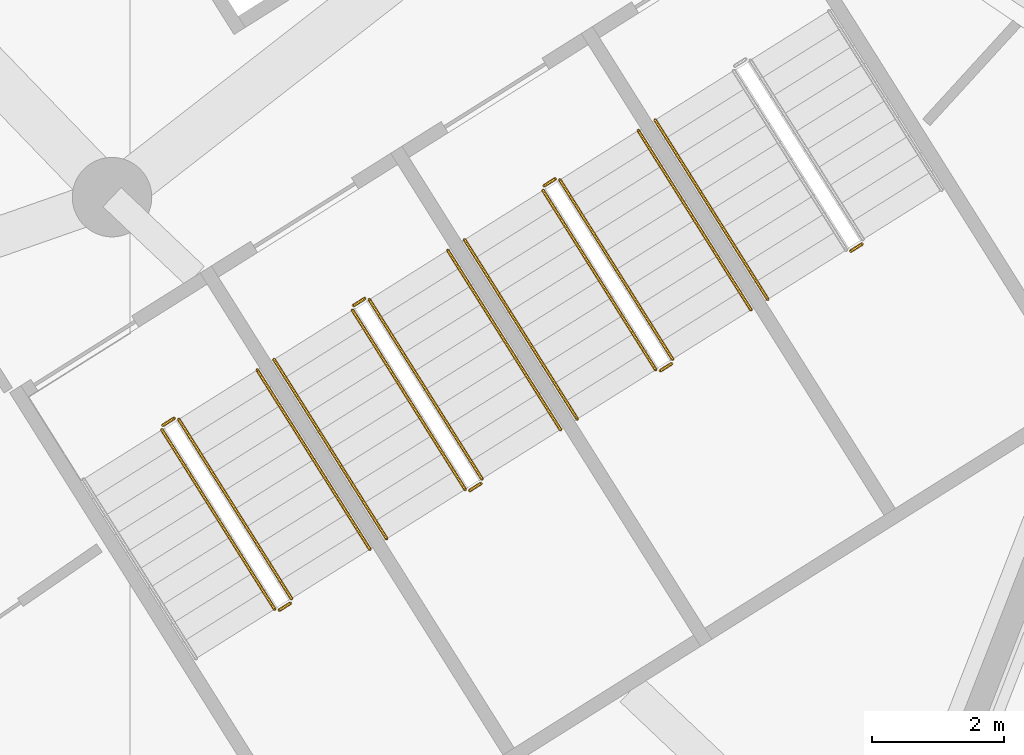
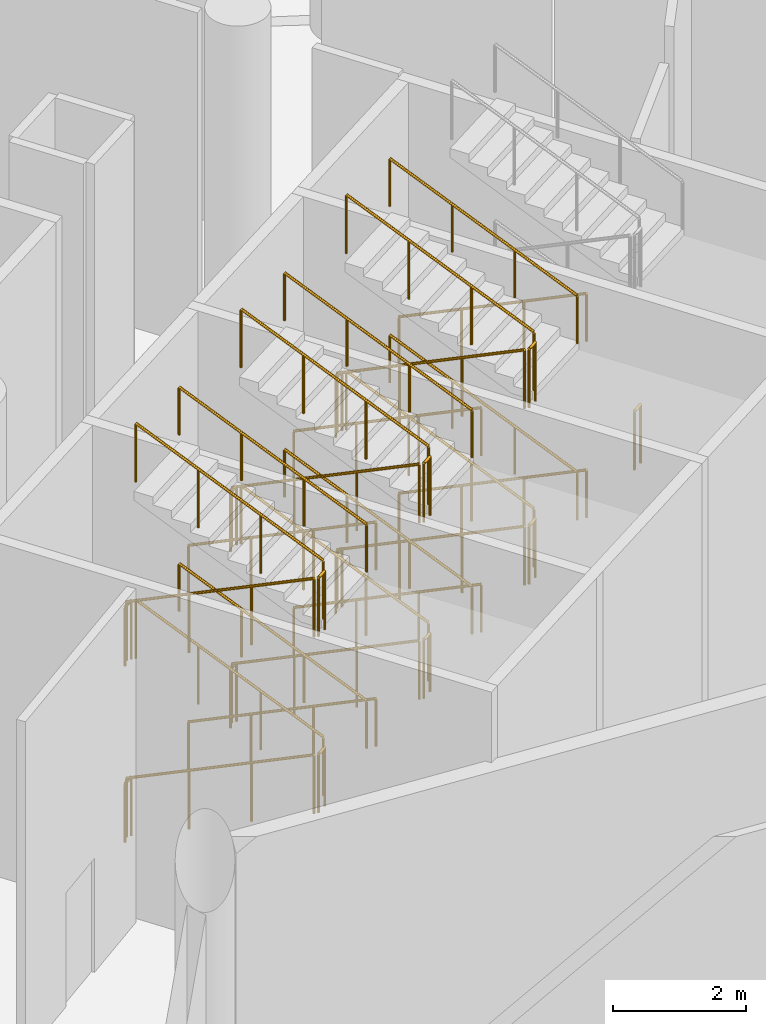
# One storey, part 210 of 255: 37 railings.
"""IFC4 building model written with IfcOpenShell, lengths in metres."""

from ifc_helpers import new_model, si_unit, direction, frame, origin, origin_2d, place, context, subcontext, project, spatial, circle, extrude, material, type_object, element, save


model = new_model("IFC4")

# Units and contexts
model_context = context("Model", 3, precision=1e-05, world=origin(), true_north=direction((0.0, 1.0)))
body_context = subcontext(model_context, "Body", "Model", "MODEL_VIEW")
ifc_project = project(units=[si_unit("LENGTHUNIT", "METRE"), si_unit("AREAUNIT", "SQUARE_METRE"), si_unit("VOLUMEUNIT", "CUBIC_METRE"), si_unit("PLANEANGLEUNIT", "RADIAN"), si_unit("MASSUNIT", "GRAM", prefix="KILO")], contexts=[model_context])

# Site, building, storey
site_placement = place(None, origin())
site = spatial("IfcSite", under=ifc_project, at=site_placement, CompositionType="ELEMENT")
building_placement = place(site_placement, origin())
building = spatial("IfcBuilding", under=site, at=building_placement, Name="Meseta Stadium", CompositionType="ELEMENT")
storey_placement = place(building_placement, origin())
storey = spatial("IfcBuildingStorey", under=building, at=storey_placement, Name="L00", CompositionType="ELEMENT", Elevation=0.0)

# Railings
ifc_material_1 = material(Name="Steel S355", Category="steel")
railing_type_1 = type_object("IfcRailingType", Name="Stair guard 1100", PredefinedType="GUARDRAIL", material=ifc_material_1)
railing_1_placement = place(storey_placement, frame((64.4853515625, -89.286865234375, 0.147705078125)))
element("IfcRailing", 1, at=railing_1_placement, inside=storey, type_object=railing_type_1, Name="ST105 L00 guard 1", PredefinedType="GUARDRAIL", context=body_context, shape_type="SweptSolid", body=[
    extrude(circle(Radius=0.02392578125, at=origin_2d()), frame((0.0, 0.0, 1.076171875), z_axis=(0.482997211726, -0.768791919252, 0.419133246544), x_axis=(0.846757325705, 0.531979352387, 0.0)), (0.0, 0.0, 1.0), 3.524658203125),
    extrude(circle(Radius=0.02099609375, at=origin_2d()), origin(), (0.0, 0.0, 1.0), 1.052001953125),
    extrude(circle(Radius=0.02099609375, at=origin_2d()), frame((0.5673828125, -0.9033203125, 0.492431640625)), (0.0, 0.0, 1.0), 1.052001953125),
    extrude(circle(Radius=0.02099609375, at=origin_2d()), frame((1.135009765625, -1.806396484375, 0.98486328125)), (0.0, 0.0, 1.0), 1.052001953125),
    extrude(circle(Radius=0.02099609375, at=origin_2d()), frame((1.702392578125, -2.709716796875, 1.477294921875)), (0.0, 0.0, 1.0), 1.052001953125),
])
railing_2_placement = place(storey_placement, frame((66.2568359375, -92.01220703125, 1.625)))
element("IfcRailing", 2, at=railing_2_placement, inside=storey, type_object=railing_type_1, Name="ST105 L00 guard 2", PredefinedType="GUARDRAIL", context=body_context, shape_type="SweptSolid", body=[
    extrude(circle(Radius=0.02392578125, at=origin_2d()), frame((0.0, 0.0, 1.076171875), z_axis=(0.846416356806, 0.532521690573, 0.0), x_axis=(-0.532521690573, 0.846416356806, 0.0)), (0.0, 0.0, 1.0), 0.199951171875),
    extrude(circle(Radius=0.02099609375, at=origin_2d()), origin(), (0.0, 0.0, 1.0), 1.052001953125),
    extrude(circle(Radius=0.02099609375, at=origin_2d()), frame((0.169189453125, 0.1064453125, 0.0)), (0.0, 0.0, 1.0), 1.052001953125),
])
railing_3_placement = place(storey_placement, frame((66.44189453125, -91.8369140625, 1.772705078125)))
element("IfcRailing", 3, at=railing_3_placement, inside=storey, type_object=railing_type_1, Name="ST105 L00 guard 3", PredefinedType="GUARDRAIL", context=body_context, shape_type="SweptSolid", body=[
    extrude(circle(Radius=0.02392578125, at=origin_2d()), frame((0.0, 0.0, 1.076171875), z_axis=(-0.483076039287, 0.768737866935, 0.419141541973), x_axis=(-0.84670136309, -0.53206841829, 0.0)), (0.0, 0.0, 1.0), 3.524658203125),
    extrude(circle(Radius=0.02099609375, at=origin_2d()), origin(), (0.0, 0.0, 1.0), 1.052001953125),
    extrude(circle(Radius=0.02099609375, at=origin_2d()), frame((-0.567626953125, 0.903076171875, 0.492431640625)), (0.0, 0.0, 1.0), 1.052001953125),
    extrude(circle(Radius=0.02099609375, at=origin_2d()), frame((-1.135009765625, 1.806396484375, 0.98486328125)), (0.0, 0.0, 1.0), 1.052001953125),
    extrude(circle(Radius=0.02099609375, at=origin_2d()), frame((-1.70263671875, 2.70947265625, 1.477294921875)), (0.0, 0.0, 1.0), 1.052001953125),
])
railing_4_placement = place(storey_placement, frame((64.5009765625, -89.218017578125, 3.25)))
element("IfcRailing", 4, at=railing_4_placement, inside=storey, type_object=railing_type_1, Name="ST105 L00 guard 4", PredefinedType="GUARDRAIL", context=body_context, shape_type="SweptSolid", body=[
    extrude(circle(Radius=0.02392578125, at=origin_2d()), frame((0.0, 0.0, 1.076171875), z_axis=(0.846762178531, 0.531971628011, 0.0), x_axis=(-0.531971628011, 0.846762178531, 0.0)), (0.0, 0.0, 1.0), 0.2001953125),
    extrude(circle(Radius=0.02099609375, at=origin_2d()), origin(), (0.0, 0.0, 1.0), 1.052001953125),
    extrude(circle(Radius=0.02099609375, at=origin_2d()), frame((0.16943359375, 0.1064453125, 0.0)), (0.0, 0.0, 1.0), 1.052001953125),
])
railing_5_placement = place(storey_placement, frame((64.4853515625, -89.286865234375, 3.397705078125)))
element("IfcRailing", 5, at=railing_5_placement, inside=storey, type_object=railing_type_1, Name="ST105 L00 guard 5", PredefinedType="GUARDRAIL", context=body_context, shape_type="SweptSolid", body=[
    extrude(circle(Radius=0.02392578125, at=origin_2d()), frame((0.0, 0.0, 1.076171875), z_axis=(0.482997211726, -0.768791919252, 0.419133246544), x_axis=(0.846757325705, 0.531979352387, 0.0)), (0.0, 0.0, 1.0), 3.524658203125),
    extrude(circle(Radius=0.02099609375, at=origin_2d()), origin(), (0.0, 0.0, 1.0), 1.052001953125),
    extrude(circle(Radius=0.02099609375, at=origin_2d()), frame((0.5673828125, -0.9033203125, 0.492431640625)), (0.0, 0.0, 1.0), 1.052001953125),
    extrude(circle(Radius=0.02099609375, at=origin_2d()), frame((1.135009765625, -1.806396484375, 0.98486328125)), (0.0, 0.0, 1.0), 1.052001953125),
    extrude(circle(Radius=0.02099609375, at=origin_2d()), frame((1.702392578125, -2.709716796875, 1.477294921875)), (0.0, 0.0, 1.0), 1.052001953125),
])
railing_6_placement = place(storey_placement, frame((66.2568359375, -92.01220703125, 4.875)))
element("IfcRailing", 6, at=railing_6_placement, inside=storey, type_object=railing_type_1, Name="ST105 L00 guard 6", PredefinedType="GUARDRAIL", context=body_context, shape_type="SweptSolid", body=[
    extrude(circle(Radius=0.02392578125, at=origin_2d()), frame((0.0, 0.0, 1.076171875), z_axis=(0.846416356806, 0.532521690573, 0.0), x_axis=(-0.532521690573, 0.846416356806, 0.0)), (0.0, 0.0, 1.0), 0.199951171875),
    extrude(circle(Radius=0.02099609375, at=origin_2d()), origin(), (0.0, 0.0, 1.0), 1.052001953125),
    extrude(circle(Radius=0.02099609375, at=origin_2d()), frame((0.169189453125, 0.1064453125, 0.0)), (0.0, 0.0, 1.0), 1.052001953125),
])
railing_7_placement = place(storey_placement, frame((66.44189453125, -91.8369140625, 5.022705078125)))
element("IfcRailing", 7, at=railing_7_placement, inside=storey, type_object=railing_type_1, Name="ST105 L00 guard 7", PredefinedType="GUARDRAIL", context=body_context, shape_type="SweptSolid", body=[
    extrude(circle(Radius=0.02392578125, at=origin_2d()), frame((0.0, 0.0, 1.076171875), z_axis=(-0.483076039287, 0.768737866935, 0.419141541973), x_axis=(-0.84670136309, -0.53206841829, 0.0)), (0.0, 0.0, 1.0), 3.524658203125),
    extrude(circle(Radius=0.02099609375, at=origin_2d()), origin(), (0.0, 0.0, 1.0), 1.052001953125),
    extrude(circle(Radius=0.02099609375, at=origin_2d()), frame((-0.567626953125, 0.903076171875, 0.492431640625)), (0.0, 0.0, 1.0), 1.052001953125),
    extrude(circle(Radius=0.02099609375, at=origin_2d()), frame((-1.135009765625, 1.806396484375, 0.98486328125)), (0.0, 0.0, 1.0), 1.052001953125),
    extrude(circle(Radius=0.02099609375, at=origin_2d()), frame((-1.70263671875, 2.70947265625, 1.477294921875)), (0.0, 0.0, 1.0), 1.052001953125),
])
railing_8_placement = place(storey_placement, frame((64.5009765625, -89.218017578125, 0.0)))
element("IfcRailing", 8, at=railing_8_placement, inside=storey, type_object=railing_type_1, Name="ST105 L00 guard 8", PredefinedType="GUARDRAIL", context=body_context, shape_type="SweptSolid", body=[
    extrude(circle(Radius=0.02392578125, at=origin_2d()), frame((0.0, 0.0, 1.076171875), z_axis=(0.846762178531, 0.531971628011, 0.0), x_axis=(-0.531971628011, 0.846762178531, 0.0)), (0.0, 0.0, 1.0), 0.2001953125),
    extrude(circle(Radius=0.02099609375, at=origin_2d()), origin(), (0.0, 0.0, 1.0), 1.052001953125),
    extrude(circle(Radius=0.02099609375, at=origin_2d()), frame((0.16943359375, 0.1064453125, 0.0)), (0.0, 0.0, 1.0), 1.052001953125),
])
railing_9_placement = place(storey_placement, frame((67.3642578125, -87.47802734375, 0.147705078125)))
element("IfcRailing", 9, at=railing_9_placement, inside=storey, type_object=railing_type_1, Name="ST106 L00 guard 1", PredefinedType="GUARDRAIL", context=body_context, shape_type="SweptSolid", body=[
    extrude(circle(Radius=0.02392578125, at=origin_2d()), frame((0.0, 0.0, 1.076171875), z_axis=(0.483022933061, -0.76876358972, 0.419155566894), x_axis=(0.846735733015, 0.532013720158, 0.0)), (0.0, 0.0, 1.0), 3.5244140625),
    extrude(circle(Radius=0.02099609375, at=origin_2d()), origin(), (0.0, 0.0, 1.0), 1.052001953125),
    extrude(circle(Radius=0.02099609375, at=origin_2d()), frame((0.5673828125, -0.903076171875, 0.492431640625)), (0.0, 0.0, 1.0), 1.052001953125),
    extrude(circle(Radius=0.02099609375, at=origin_2d()), frame((1.135009765625, -1.806396484375, 0.98486328125)), (0.0, 0.0, 1.0), 1.052001953125),
    extrude(circle(Radius=0.02099609375, at=origin_2d()), frame((1.702392578125, -2.70947265625, 1.477294921875)), (0.0, 0.0, 1.0), 1.052001953125),
])
railing_10_placement = place(storey_placement, frame((69.135498046875, -90.203369140625, 1.625)))
element("IfcRailing", 10, at=railing_10_placement, inside=storey, type_object=railing_type_1, Name="ST106 L00 guard 2", PredefinedType="GUARDRAIL", context=body_context, shape_type="SweptSolid", body=[
    extrude(circle(Radius=0.02392578125, at=origin_2d()), frame((0.0, 0.0, 1.076171875), z_axis=(0.846762178531, 0.531971628011, 0.0), x_axis=(-0.531971628011, 0.846762178531, 0.0)), (0.0, 0.0, 1.0), 0.2001953125),
    extrude(circle(Radius=0.02099609375, at=origin_2d()), origin(), (0.0, 0.0, 1.0), 1.052001953125),
    extrude(circle(Radius=0.02099609375, at=origin_2d()), frame((0.16943359375, 0.1064453125, 0.0)), (0.0, 0.0, 1.0), 1.052001953125),
])
railing_11_placement = place(storey_placement, frame((69.320556640625, -90.028076171875, 1.772705078125)))
element("IfcRailing", 11, at=railing_11_placement, inside=storey, type_object=railing_type_1, Name="ST106 L00 guard 3", PredefinedType="GUARDRAIL", context=body_context, shape_type="SweptSolid", body=[
    extrude(circle(Radius=0.02392578125, at=origin_2d()), frame((0.0, 0.0, 1.076171875), z_axis=(-0.482997211726, 0.768791919252, 0.419133246544), x_axis=(-0.846757325705, -0.531979352387, 0.0)), (0.0, 0.0, 1.0), 3.524658203125),
    extrude(circle(Radius=0.02099609375, at=origin_2d()), origin(), (0.0, 0.0, 1.0), 1.052001953125),
    extrude(circle(Radius=0.02099609375, at=origin_2d()), frame((-0.5673828125, 0.9033203125, 0.492431640625)), (0.0, 0.0, 1.0), 1.052001953125),
    extrude(circle(Radius=0.02099609375, at=origin_2d()), frame((-1.135009765625, 1.806396484375, 0.98486328125)), (0.0, 0.0, 1.0), 1.052001953125),
    extrude(circle(Radius=0.02099609375, at=origin_2d()), frame((-1.702392578125, 2.709716796875, 1.477294921875)), (0.0, 0.0, 1.0), 1.052001953125),
])
railing_12_placement = place(storey_placement, frame((67.3798828125, -87.4091796875, 3.25)))
element("IfcRailing", 12, at=railing_12_placement, inside=storey, type_object=railing_type_1, Name="ST106 L00 guard 4", PredefinedType="GUARDRAIL", context=body_context, shape_type="SweptSolid", body=[
    extrude(circle(Radius=0.02392578125, at=origin_2d()), frame((0.0, 0.0, 1.076171875), z_axis=(0.846762178531, 0.531971628011, 0.0), x_axis=(-0.531971628011, 0.846762178531, 0.0)), (0.0, 0.0, 1.0), 0.2001953125),
    extrude(circle(Radius=0.02099609375, at=origin_2d()), origin(), (0.0, 0.0, 1.0), 1.052001953125),
    extrude(circle(Radius=0.02099609375, at=origin_2d()), frame((0.16943359375, 0.1064453125, 0.0)), (0.0, 0.0, 1.0), 1.052001953125),
])
railing_13_placement = place(storey_placement, frame((67.3642578125, -87.47802734375, 3.397705078125)))
element("IfcRailing", 13, at=railing_13_placement, inside=storey, type_object=railing_type_1, Name="ST106 L00 guard 5", PredefinedType="GUARDRAIL", context=body_context, shape_type="SweptSolid", body=[
    extrude(circle(Radius=0.02392578125, at=origin_2d()), frame((0.0, 0.0, 1.076171875), z_axis=(0.483022933061, -0.76876358972, 0.419155566894), x_axis=(0.846735733015, 0.532013720158, 0.0)), (0.0, 0.0, 1.0), 3.5244140625),
    extrude(circle(Radius=0.02099609375, at=origin_2d()), origin(), (0.0, 0.0, 1.0), 1.052001953125),
    extrude(circle(Radius=0.02099609375, at=origin_2d()), frame((0.5673828125, -0.903076171875, 0.492431640625)), (0.0, 0.0, 1.0), 1.052001953125),
    extrude(circle(Radius=0.02099609375, at=origin_2d()), frame((1.135009765625, -1.806396484375, 0.98486328125)), (0.0, 0.0, 1.0), 1.052001953125),
    extrude(circle(Radius=0.02099609375, at=origin_2d()), frame((1.702392578125, -2.70947265625, 1.477294921875)), (0.0, 0.0, 1.0), 1.052001953125),
])
railing_14_placement = place(storey_placement, frame((69.135498046875, -90.203369140625, 4.875)))
element("IfcRailing", 14, at=railing_14_placement, inside=storey, type_object=railing_type_1, Name="ST106 L00 guard 6", PredefinedType="GUARDRAIL", context=body_context, shape_type="SweptSolid", body=[
    extrude(circle(Radius=0.02392578125, at=origin_2d()), frame((0.0, 0.0, 1.076171875), z_axis=(0.846762178531, 0.531971628011, 0.0), x_axis=(-0.531971628011, 0.846762178531, 0.0)), (0.0, 0.0, 1.0), 0.2001953125),
    extrude(circle(Radius=0.02099609375, at=origin_2d()), origin(), (0.0, 0.0, 1.0), 1.052001953125),
    extrude(circle(Radius=0.02099609375, at=origin_2d()), frame((0.16943359375, 0.1064453125, 0.0)), (0.0, 0.0, 1.0), 1.052001953125),
])
railing_15_placement = place(storey_placement, frame((69.320556640625, -90.028076171875, 5.022705078125)))
element("IfcRailing", 15, at=railing_15_placement, inside=storey, type_object=railing_type_1, Name="ST106 L00 guard 7", PredefinedType="GUARDRAIL", context=body_context, shape_type="SweptSolid", body=[
    extrude(circle(Radius=0.02392578125, at=origin_2d()), frame((0.0, 0.0, 1.076171875), z_axis=(-0.482997211726, 0.768791919252, 0.419133246544), x_axis=(-0.846757325705, -0.531979352387, 0.0)), (0.0, 0.0, 1.0), 3.524658203125),
    extrude(circle(Radius=0.02099609375, at=origin_2d()), origin(), (0.0, 0.0, 1.0), 1.052001953125),
    extrude(circle(Radius=0.02099609375, at=origin_2d()), frame((-0.5673828125, 0.9033203125, 0.492431640625)), (0.0, 0.0, 1.0), 1.052001953125),
    extrude(circle(Radius=0.02099609375, at=origin_2d()), frame((-1.135009765625, 1.806396484375, 0.98486328125)), (0.0, 0.0, 1.0), 1.052001953125),
    extrude(circle(Radius=0.02099609375, at=origin_2d()), frame((-1.702392578125, 2.709716796875, 1.477294921875)), (0.0, 0.0, 1.0), 1.052001953125),
])
railing_16_placement = place(storey_placement, frame((67.3798828125, -87.4091796875, 0.0)))
element("IfcRailing", 16, at=railing_16_placement, inside=storey, type_object=railing_type_1, Name="ST106 L00 guard 8", PredefinedType="GUARDRAIL", context=body_context, shape_type="SweptSolid", body=[
    extrude(circle(Radius=0.02392578125, at=origin_2d()), frame((0.0, 0.0, 1.076171875), z_axis=(0.846762178531, 0.531971628011, 0.0), x_axis=(-0.531971628011, 0.846762178531, 0.0)), (0.0, 0.0, 1.0), 0.2001953125),
    extrude(circle(Radius=0.02099609375, at=origin_2d()), origin(), (0.0, 0.0, 1.0), 1.052001953125),
    extrude(circle(Radius=0.02099609375, at=origin_2d()), frame((0.16943359375, 0.1064453125, 0.0)), (0.0, 0.0, 1.0), 1.052001953125),
])
railing_17_placement = place(storey_placement, frame((70.242919921875, -85.669189453125, 0.147705078125)))
element("IfcRailing", 17, at=railing_17_placement, inside=storey, type_object=railing_type_1, Name="ST107 L00 guard 1", PredefinedType="GUARDRAIL", context=body_context, shape_type="SweptSolid", body=[
    extrude(circle(Radius=0.02392578125, at=origin_2d()), frame((0.0, 0.0, 1.076171875), z_axis=(0.483076039287, -0.768737866935, 0.419141541973), x_axis=(0.84670136309, 0.53206841829, 0.0)), (0.0, 0.0, 1.0), 3.524658203125),
    extrude(circle(Radius=0.02099609375, at=origin_2d()), origin(), (0.0, 0.0, 1.0), 1.052001953125),
    extrude(circle(Radius=0.02099609375, at=origin_2d()), frame((0.567626953125, -0.903076171875, 0.492431640625)), (0.0, 0.0, 1.0), 1.052001953125),
    extrude(circle(Radius=0.02099609375, at=origin_2d()), frame((1.135009765625, -1.806396484375, 0.98486328125)), (0.0, 0.0, 1.0), 1.052001953125),
    extrude(circle(Radius=0.02099609375, at=origin_2d()), frame((1.70263671875, -2.70947265625, 1.477294921875)), (0.0, 0.0, 1.0), 1.052001953125),
])
railing_18_placement = place(storey_placement, frame((72.014404296875, -88.39453125, 1.625)))
element("IfcRailing", 18, at=railing_18_placement, inside=storey, type_object=railing_type_1, Name="ST107 L00 guard 2", PredefinedType="GUARDRAIL", context=body_context, shape_type="SweptSolid", body=[
    extrude(circle(Radius=0.02392578125, at=origin_2d()), frame((0.0, 0.0, 1.076171875), z_axis=(0.846762178531, 0.531971628011, 0.0), x_axis=(-0.531971628011, 0.846762178531, 0.0)), (0.0, 0.0, 1.0), 0.2001953125),
    extrude(circle(Radius=0.02099609375, at=origin_2d()), origin(), (0.0, 0.0, 1.0), 1.052001953125),
    extrude(circle(Radius=0.02099609375, at=origin_2d()), frame((0.16943359375, 0.1064453125, 0.0)), (0.0, 0.0, 1.0), 1.052001953125),
])
railing_19_placement = place(storey_placement, frame((72.199462890625, -88.218994140625, 1.772705078125)))
element("IfcRailing", 19, at=railing_19_placement, inside=storey, type_object=railing_type_1, Name="ST107 L00 guard 3", PredefinedType="GUARDRAIL", context=body_context, shape_type="SweptSolid", body=[
    extrude(circle(Radius=0.02392578125, at=origin_2d()), frame((0.0, 0.0, 1.076171875), z_axis=(-0.483022933061, 0.76876358972, 0.419155566894), x_axis=(-0.846735733015, -0.532013720158, 0.0)), (0.0, 0.0, 1.0), 3.5244140625),
    extrude(circle(Radius=0.02099609375, at=origin_2d()), origin(), (0.0, 0.0, 1.0), 1.052001953125),
    extrude(circle(Radius=0.02099609375, at=origin_2d()), frame((-0.5673828125, 0.903076171875, 0.492431640625)), (0.0, 0.0, 1.0), 1.052001953125),
    extrude(circle(Radius=0.02099609375, at=origin_2d()), frame((-1.135009765625, 1.806396484375, 0.98486328125)), (0.0, 0.0, 1.0), 1.052001953125),
    extrude(circle(Radius=0.02099609375, at=origin_2d()), frame((-1.702392578125, 2.70947265625, 1.477294921875)), (0.0, 0.0, 1.0), 1.052001953125),
])
railing_20_placement = place(storey_placement, frame((70.2587890625, -85.600341796875, 3.25)))
element("IfcRailing", 20, at=railing_20_placement, inside=storey, type_object=railing_type_1, Name="ST107 L00 guard 4", PredefinedType="GUARDRAIL", context=body_context, shape_type="SweptSolid", body=[
    extrude(circle(Radius=0.02392578125, at=origin_2d()), frame((0.0, 0.0, 1.076171875), z_axis=(0.846416356806, 0.532521690573, 0.0), x_axis=(-0.532521690573, 0.846416356806, 0.0)), (0.0, 0.0, 1.0), 0.199951171875),
    extrude(circle(Radius=0.02099609375, at=origin_2d()), origin(), (0.0, 0.0, 1.0), 1.052001953125),
    extrude(circle(Radius=0.02099609375, at=origin_2d()), frame((0.169189453125, 0.1064453125, 0.0)), (0.0, 0.0, 1.0), 1.052001953125),
])
railing_21_placement = place(storey_placement, frame((70.242919921875, -85.669189453125, 3.397705078125)))
element("IfcRailing", 21, at=railing_21_placement, inside=storey, type_object=railing_type_1, Name="ST107 L00 guard 5", PredefinedType="GUARDRAIL", context=body_context, shape_type="SweptSolid", body=[
    extrude(circle(Radius=0.02392578125, at=origin_2d()), frame((0.0, 0.0, 1.076171875), z_axis=(0.483076039287, -0.768737866935, 0.419141541973), x_axis=(0.84670136309, 0.53206841829, 0.0)), (0.0, 0.0, 1.0), 3.524658203125),
    extrude(circle(Radius=0.02099609375, at=origin_2d()), origin(), (0.0, 0.0, 1.0), 1.052001953125),
    extrude(circle(Radius=0.02099609375, at=origin_2d()), frame((0.567626953125, -0.903076171875, 0.492431640625)), (0.0, 0.0, 1.0), 1.052001953125),
    extrude(circle(Radius=0.02099609375, at=origin_2d()), frame((1.135009765625, -1.806396484375, 0.98486328125)), (0.0, 0.0, 1.0), 1.052001953125),
    extrude(circle(Radius=0.02099609375, at=origin_2d()), frame((1.70263671875, -2.70947265625, 1.477294921875)), (0.0, 0.0, 1.0), 1.052001953125),
])
railing_22_placement = place(storey_placement, frame((72.014404296875, -88.39453125, 4.875)))
element("IfcRailing", 22, at=railing_22_placement, inside=storey, type_object=railing_type_1, Name="ST107 L00 guard 6", PredefinedType="GUARDRAIL", context=body_context, shape_type="SweptSolid", body=[
    extrude(circle(Radius=0.02392578125, at=origin_2d()), frame((0.0, 0.0, 1.076171875), z_axis=(0.846762178531, 0.531971628011, 0.0), x_axis=(-0.531971628011, 0.846762178531, 0.0)), (0.0, 0.0, 1.0), 0.2001953125),
    extrude(circle(Radius=0.02099609375, at=origin_2d()), origin(), (0.0, 0.0, 1.0), 1.052001953125),
    extrude(circle(Radius=0.02099609375, at=origin_2d()), frame((0.16943359375, 0.1064453125, 0.0)), (0.0, 0.0, 1.0), 1.052001953125),
])
railing_23_placement = place(storey_placement, frame((72.199462890625, -88.218994140625, 5.022705078125)))
element("IfcRailing", 23, at=railing_23_placement, inside=storey, type_object=railing_type_1, Name="ST107 L00 guard 7", PredefinedType="GUARDRAIL", context=body_context, shape_type="SweptSolid", body=[
    extrude(circle(Radius=0.02392578125, at=origin_2d()), frame((0.0, 0.0, 1.076171875), z_axis=(-0.483022933061, 0.76876358972, 0.419155566894), x_axis=(-0.846735733015, -0.532013720158, 0.0)), (0.0, 0.0, 1.0), 3.5244140625),
    extrude(circle(Radius=0.02099609375, at=origin_2d()), origin(), (0.0, 0.0, 1.0), 1.052001953125),
    extrude(circle(Radius=0.02099609375, at=origin_2d()), frame((-0.5673828125, 0.903076171875, 0.492431640625)), (0.0, 0.0, 1.0), 1.052001953125),
    extrude(circle(Radius=0.02099609375, at=origin_2d()), frame((-1.135009765625, 1.806396484375, 0.98486328125)), (0.0, 0.0, 1.0), 1.052001953125),
    extrude(circle(Radius=0.02099609375, at=origin_2d()), frame((-1.702392578125, 2.70947265625, 1.477294921875)), (0.0, 0.0, 1.0), 1.052001953125),
])
railing_24_placement = place(storey_placement, frame((70.2587890625, -85.600341796875, 0.0)))
element("IfcRailing", 24, at=railing_24_placement, inside=storey, type_object=railing_type_1, Name="ST107 L00 guard 8", PredefinedType="GUARDRAIL", context=body_context, shape_type="SweptSolid", body=[
    extrude(circle(Radius=0.02392578125, at=origin_2d()), frame((0.0, 0.0, 1.076171875), z_axis=(0.846416356806, 0.532521690573, 0.0), x_axis=(-0.532521690573, 0.846416356806, 0.0)), (0.0, 0.0, 1.0), 0.199951171875),
    extrude(circle(Radius=0.02099609375, at=origin_2d()), origin(), (0.0, 0.0, 1.0), 1.052001953125),
    extrude(circle(Radius=0.02099609375, at=origin_2d()), frame((0.169189453125, 0.1064453125, 0.0)), (0.0, 0.0, 1.0), 1.052001953125),
])
railing_25_placement = place(storey_placement, frame((74.893310546875, -86.58544921875, 1.625)))
element("IfcRailing", 25, at=railing_25_placement, inside=storey, type_object=railing_type_1, Name="ST108 L00 guard 2", PredefinedType="GUARDRAIL", context=body_context, shape_type="SweptSolid", body=[
    extrude(circle(Radius=0.02392578125, at=origin_2d()), frame((0.0, 0.0, 1.076171875), z_axis=(0.846762178531, 0.531971628011, 0.0), x_axis=(-0.531971628011, 0.846762178531, 0.0)), (0.0, 0.0, 1.0), 0.2001953125),
    extrude(circle(Radius=0.02099609375, at=origin_2d()), origin(), (0.0, 0.0, 1.0), 1.052001953125),
    extrude(circle(Radius=0.02099609375, at=origin_2d()), frame((0.16943359375, 0.1064453125, 0.0)), (0.0, 0.0, 1.0), 1.052001953125),
])
ifc_material_2 = material(Name="Steel S355", Category="steel")
railing_type_2 = type_object("IfcRailingType", Name="Stair handrail 900", PredefinedType="HANDRAIL", material=ifc_material_2)
for number, where, name in (
    (26, (67.627197265625, -91.092041015625, 1.772705078125), "ST105 L00 handrail 2"),
    (27, (67.627197265625, -91.092041015625, 5.022705078125), "ST105 L00 handrail 4"),
):
    element("IfcRailing", number, at=place(storey_placement, frame(where)), inside=storey, type_object=railing_type_2, Name=name, PredefinedType="HANDRAIL", context=body_context, shape_type="SweptSolid", body=[
        extrude(circle(Radius=0.02392578125, at=origin_2d()), frame((0.0, 0.0, 0.8759765625), z_axis=(-0.483022933061, 0.76876358972, 0.419155566894), x_axis=(-0.846735733015, -0.532013720158, 0.0)), (0.0, 0.0, 1.0), 3.5244140625),
        extrude(circle(Radius=0.02099609375, at=origin_2d()), origin(), (0.0, 0.0, 1.0), 0.851806640625),
        extrude(circle(Radius=0.02099609375, at=origin_2d()), frame((-0.5673828125, 0.903076171875, 0.492431640625)), (0.0, 0.0, 1.0), 0.851806640625),
        extrude(circle(Radius=0.02099609375, at=origin_2d()), frame((-1.135009765625, 1.806396484375, 0.98486328125)), (0.0, 0.0, 1.0), 0.851806640625),
        extrude(circle(Radius=0.02099609375, at=origin_2d()), frame((-1.702392578125, 2.70947265625, 1.477294921875)), (0.0, 0.0, 1.0), 0.851806640625),
    ])
railing_26_placement = place(storey_placement, frame((66.1787109375, -88.222900390625, 0.147705078125)))
element("IfcRailing", 28, at=railing_26_placement, inside=storey, type_object=railing_type_2, Name="ST106 L00 handrail 1", PredefinedType="HANDRAIL", context=body_context, shape_type="SweptSolid", body=[
    extrude(circle(Radius=0.02392578125, at=origin_2d()), frame((0.0, 0.0, 0.8759765625), z_axis=(0.483076039287, -0.768737866935, 0.419141541973), x_axis=(0.84670136309, 0.53206841829, 0.0)), (0.0, 0.0, 1.0), 3.524658203125),
    extrude(circle(Radius=0.02099609375, at=origin_2d()), origin(), (0.0, 0.0, 1.0), 0.851806640625),
    extrude(circle(Radius=0.02099609375, at=origin_2d()), frame((0.567626953125, -0.903076171875, 0.492431640625)), (0.0, 0.0, 1.0), 0.851806640625),
    extrude(circle(Radius=0.02099609375, at=origin_2d()), frame((1.135009765625, -1.806396484375, 0.98486328125)), (0.0, 0.0, 1.0), 0.851806640625),
    extrude(circle(Radius=0.02099609375, at=origin_2d()), frame((1.70263671875, -2.70947265625, 1.477294921875)), (0.0, 0.0, 1.0), 0.851806640625),
])
railing_27_placement = place(storey_placement, frame((70.506103515625, -89.283203125, 1.772705078125)))
element("IfcRailing", 29, at=railing_27_placement, inside=storey, type_object=railing_type_2, Name="ST106 L00 handrail 2", PredefinedType="HANDRAIL", context=body_context, shape_type="SweptSolid", body=[
    extrude(circle(Radius=0.02392578125, at=origin_2d()), frame((0.0, 0.0, 0.8759765625), z_axis=(-0.483076039287, 0.768737866935, 0.419141541973), x_axis=(-0.84670136309, -0.53206841829, 0.0)), (0.0, 0.0, 1.0), 3.524658203125),
    extrude(circle(Radius=0.02099609375, at=origin_2d()), origin(), (0.0, 0.0, 1.0), 0.851806640625),
    extrude(circle(Radius=0.02099609375, at=origin_2d()), frame((-0.567626953125, 0.903076171875, 0.492431640625)), (0.0, 0.0, 1.0), 0.851806640625),
    extrude(circle(Radius=0.02099609375, at=origin_2d()), frame((-1.135009765625, 1.806396484375, 0.98486328125)), (0.0, 0.0, 1.0), 0.851806640625),
    extrude(circle(Radius=0.02099609375, at=origin_2d()), frame((-1.70263671875, 2.70947265625, 1.477294921875)), (0.0, 0.0, 1.0), 0.851806640625),
])
railing_28_placement = place(storey_placement, frame((66.1787109375, -88.222900390625, 3.397705078125)))
element("IfcRailing", 30, at=railing_28_placement, inside=storey, type_object=railing_type_2, Name="ST106 L00 handrail 3", PredefinedType="HANDRAIL", context=body_context, shape_type="SweptSolid", body=[
    extrude(circle(Radius=0.02392578125, at=origin_2d()), frame((0.0, 0.0, 0.8759765625), z_axis=(0.483076039287, -0.768737866935, 0.419141541973), x_axis=(0.84670136309, 0.53206841829, 0.0)), (0.0, 0.0, 1.0), 3.524658203125),
    extrude(circle(Radius=0.02099609375, at=origin_2d()), origin(), (0.0, 0.0, 1.0), 0.851806640625),
    extrude(circle(Radius=0.02099609375, at=origin_2d()), frame((0.567626953125, -0.903076171875, 0.492431640625)), (0.0, 0.0, 1.0), 0.851806640625),
    extrude(circle(Radius=0.02099609375, at=origin_2d()), frame((1.135009765625, -1.806396484375, 0.98486328125)), (0.0, 0.0, 1.0), 0.851806640625),
    extrude(circle(Radius=0.02099609375, at=origin_2d()), frame((1.70263671875, -2.70947265625, 1.477294921875)), (0.0, 0.0, 1.0), 0.851806640625),
])
railing_29_placement = place(storey_placement, frame((70.506103515625, -89.283203125, 5.022705078125)))
element("IfcRailing", 31, at=railing_29_placement, inside=storey, type_object=railing_type_2, Name="ST106 L00 handrail 4", PredefinedType="HANDRAIL", context=body_context, shape_type="SweptSolid", body=[
    extrude(circle(Radius=0.02392578125, at=origin_2d()), frame((0.0, 0.0, 0.8759765625), z_axis=(-0.483076039287, 0.768737866935, 0.419141541973), x_axis=(-0.84670136309, -0.53206841829, 0.0)), (0.0, 0.0, 1.0), 3.524658203125),
    extrude(circle(Radius=0.02099609375, at=origin_2d()), origin(), (0.0, 0.0, 1.0), 0.851806640625),
    extrude(circle(Radius=0.02099609375, at=origin_2d()), frame((-0.567626953125, 0.903076171875, 0.492431640625)), (0.0, 0.0, 1.0), 0.851806640625),
    extrude(circle(Radius=0.02099609375, at=origin_2d()), frame((-1.135009765625, 1.806396484375, 0.98486328125)), (0.0, 0.0, 1.0), 0.851806640625),
    extrude(circle(Radius=0.02099609375, at=origin_2d()), frame((-1.70263671875, 2.70947265625, 1.477294921875)), (0.0, 0.0, 1.0), 0.851806640625),
])
railing_30_placement = place(storey_placement, frame((69.0576171875, -86.4140625, 0.147705078125)))
element("IfcRailing", 32, at=railing_30_placement, inside=storey, type_object=railing_type_2, Name="ST107 L00 handrail 1", PredefinedType="HANDRAIL", context=body_context, shape_type="SweptSolid", body=[
    extrude(circle(Radius=0.02392578125, at=origin_2d()), frame((0.0, 0.0, 0.8759765625), z_axis=(0.483022933061, -0.76876358972, 0.419155566894), x_axis=(0.846735733015, 0.532013720158, 0.0)), (0.0, 0.0, 1.0), 3.5244140625),
    extrude(circle(Radius=0.02099609375, at=origin_2d()), origin(), (0.0, 0.0, 1.0), 0.851806640625),
    extrude(circle(Radius=0.02099609375, at=origin_2d()), frame((0.5673828125, -0.903076171875, 0.492431640625)), (0.0, 0.0, 1.0), 0.851806640625),
    extrude(circle(Radius=0.02099609375, at=origin_2d()), frame((1.135009765625, -1.806396484375, 0.98486328125)), (0.0, 0.0, 1.0), 0.851806640625),
    extrude(circle(Radius=0.02099609375, at=origin_2d()), frame((1.702392578125, -2.70947265625, 1.477294921875)), (0.0, 0.0, 1.0), 0.851806640625),
])
railing_31_placement = place(storey_placement, frame((73.385009765625, -87.47412109375, 1.772705078125)))
element("IfcRailing", 33, at=railing_31_placement, inside=storey, type_object=railing_type_2, Name="ST107 L00 handrail 2", PredefinedType="HANDRAIL", context=body_context, shape_type="SweptSolid", body=[
    extrude(circle(Radius=0.02392578125, at=origin_2d()), frame((0.0, 0.0, 0.8759765625), z_axis=(-0.483076039287, 0.768737866935, 0.419141541973), x_axis=(-0.84670136309, -0.53206841829, 0.0)), (0.0, 0.0, 1.0), 3.524658203125),
    extrude(circle(Radius=0.02099609375, at=origin_2d()), origin(), (0.0, 0.0, 1.0), 0.851806640625),
    extrude(circle(Radius=0.02099609375, at=origin_2d()), frame((-0.567626953125, 0.903076171875, 0.492431640625)), (0.0, 0.0, 1.0), 0.851806640625),
    extrude(circle(Radius=0.02099609375, at=origin_2d()), frame((-1.135009765625, 1.806396484375, 0.98486328125)), (0.0, 0.0, 1.0), 0.851806640625),
    extrude(circle(Radius=0.02099609375, at=origin_2d()), frame((-1.70263671875, 2.70947265625, 1.477294921875)), (0.0, 0.0, 1.0), 0.851806640625),
])
railing_32_placement = place(storey_placement, frame((69.0576171875, -86.4140625, 3.397705078125)))
element("IfcRailing", 34, at=railing_32_placement, inside=storey, type_object=railing_type_2, Name="ST107 L00 handrail 3", PredefinedType="HANDRAIL", context=body_context, shape_type="SweptSolid", body=[
    extrude(circle(Radius=0.02392578125, at=origin_2d()), frame((0.0, 0.0, 0.8759765625), z_axis=(0.483022933061, -0.76876358972, 0.419155566894), x_axis=(0.846735733015, 0.532013720158, 0.0)), (0.0, 0.0, 1.0), 3.5244140625),
    extrude(circle(Radius=0.02099609375, at=origin_2d()), origin(), (0.0, 0.0, 1.0), 0.851806640625),
    extrude(circle(Radius=0.02099609375, at=origin_2d()), frame((0.5673828125, -0.903076171875, 0.492431640625)), (0.0, 0.0, 1.0), 0.851806640625),
    extrude(circle(Radius=0.02099609375, at=origin_2d()), frame((1.135009765625, -1.806396484375, 0.98486328125)), (0.0, 0.0, 1.0), 0.851806640625),
    extrude(circle(Radius=0.02099609375, at=origin_2d()), frame((1.702392578125, -2.70947265625, 1.477294921875)), (0.0, 0.0, 1.0), 0.851806640625),
])
railing_33_placement = place(storey_placement, frame((73.385009765625, -87.47412109375, 5.022705078125)))
element("IfcRailing", 35, at=railing_33_placement, inside=storey, type_object=railing_type_2, Name="ST107 L00 handrail 4", PredefinedType="HANDRAIL", context=body_context, shape_type="SweptSolid", body=[
    extrude(circle(Radius=0.02392578125, at=origin_2d()), frame((0.0, 0.0, 0.8759765625), z_axis=(-0.483076039287, 0.768737866935, 0.419141541973), x_axis=(-0.84670136309, -0.53206841829, 0.0)), (0.0, 0.0, 1.0), 3.524658203125),
    extrude(circle(Radius=0.02099609375, at=origin_2d()), origin(), (0.0, 0.0, 1.0), 0.851806640625),
    extrude(circle(Radius=0.02099609375, at=origin_2d()), frame((-0.567626953125, 0.903076171875, 0.492431640625)), (0.0, 0.0, 1.0), 0.851806640625),
    extrude(circle(Radius=0.02099609375, at=origin_2d()), frame((-1.135009765625, 1.806396484375, 0.98486328125)), (0.0, 0.0, 1.0), 0.851806640625),
    extrude(circle(Radius=0.02099609375, at=origin_2d()), frame((-1.70263671875, 2.70947265625, 1.477294921875)), (0.0, 0.0, 1.0), 0.851806640625),
])
for number, where, name in (
    (36, (71.9365234375, -84.60498046875, 0.147705078125), "ST108 L00 handrail 1"),
    (37, (71.9365234375, -84.60498046875, 3.397705078125), "ST108 L00 handrail 3"),
):
    element("IfcRailing", number, at=place(storey_placement, frame(where)), inside=storey, type_object=railing_type_2, Name=name, PredefinedType="HANDRAIL", context=body_context, shape_type="SweptSolid", body=[
        extrude(circle(Radius=0.02392578125, at=origin_2d()), frame((0.0, 0.0, 0.8759765625), z_axis=(0.482997211726, -0.768791919252, 0.419133246544), x_axis=(0.846757325705, 0.531979352387, 0.0)), (0.0, 0.0, 1.0), 3.524658203125),
        extrude(circle(Radius=0.02099609375, at=origin_2d()), origin(), (0.0, 0.0, 1.0), 0.851806640625),
        extrude(circle(Radius=0.02099609375, at=origin_2d()), frame((0.5673828125, -0.9033203125, 0.492431640625)), (0.0, 0.0, 1.0), 0.851806640625),
        extrude(circle(Radius=0.02099609375, at=origin_2d()), frame((1.135009765625, -1.806396484375, 0.98486328125)), (0.0, 0.0, 1.0), 0.851806640625),
        extrude(circle(Radius=0.02099609375, at=origin_2d()), frame((1.702392578125, -2.709716796875, 1.477294921875)), (0.0, 0.0, 1.0), 0.851806640625),
    ])

save(model, "model.ifc")
